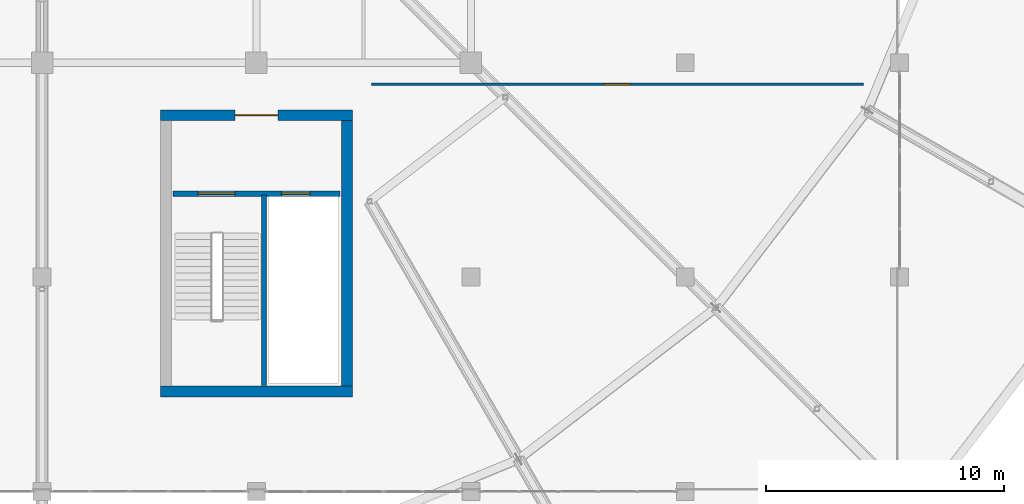
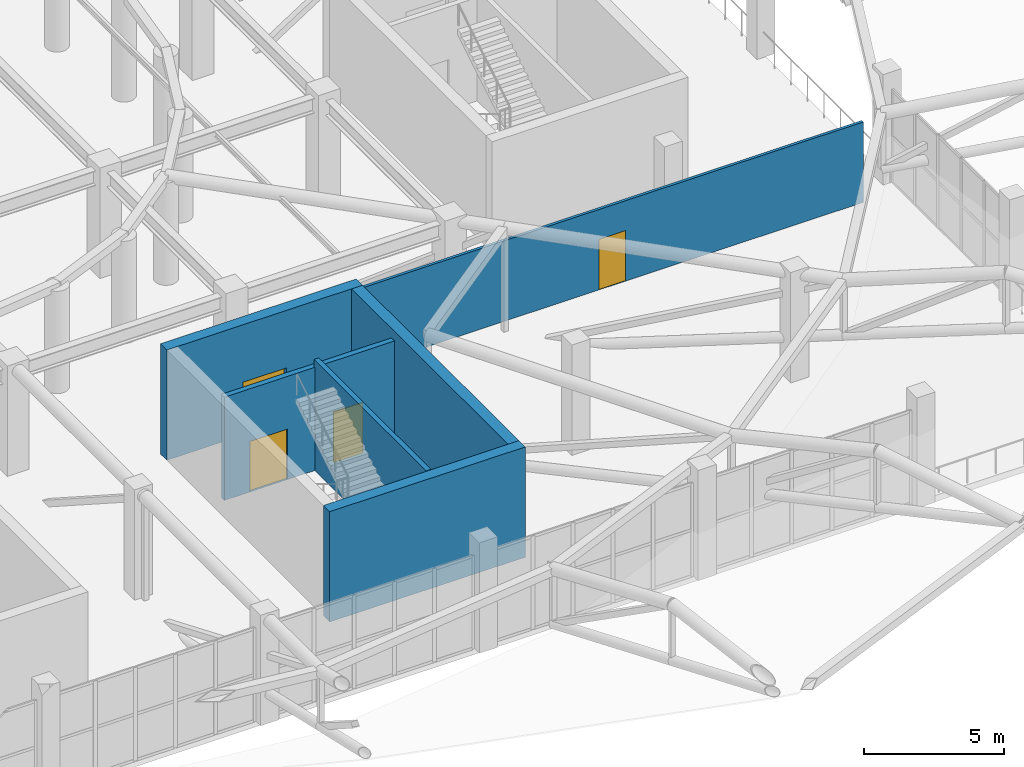
# One storey, part 139 of 167: 6 walls, 4 doors, 4 openings.
"""IFC4 building model written with IfcOpenShell, lengths in metres."""

from ifc_helpers import new_model, si_unit, direction, frame, frame_2d, origin, place, context, subcontext, project, spatial, rectangle, extrude, material, layer, layer_set, type_object, element, fill, save


model = new_model("IFC4")

# Units and contexts
model_context = context("Model", 3, precision=1e-05, world=origin(), true_north=direction((0.0, 1.0)))
body_context = subcontext(model_context, "Body", "Model", "MODEL_VIEW")
ifc_project = project(units=[si_unit("LENGTHUNIT", "METRE"), si_unit("AREAUNIT", "SQUARE_METRE"), si_unit("VOLUMEUNIT", "CUBIC_METRE"), si_unit("PLANEANGLEUNIT", "RADIAN"), si_unit("MASSUNIT", "GRAM", prefix="KILO")], contexts=[model_context])

# Site, building, storey
site_placement = place(None, origin())
site = spatial("IfcSite", under=ifc_project, at=site_placement, CompositionType="ELEMENT")
building_placement = place(site_placement, origin())
building = spatial("IfcBuilding", under=site, at=building_placement, Name="Dornveld Trade and Exhibition Forum", CompositionType="ELEMENT")
storey_placement = place(building_placement, frame((0.0, 0.0, 16.800048828125)))
storey = spatial("IfcBuildingStorey", under=building, at=storey_placement, Name="L03", CompositionType="ELEMENT", Elevation=16.800048828125)

# Wall
ifc_material_1 = material(Name="Concrete C40/50", Category="concrete")
ifc_layer_1 = layer(ifc_material_1, 0.449951171875)
ifc_layer_set_1 = layer_set([ifc_layer_1], Name="Concrete C40/50")
wall_type_1 = type_object("IfcWallType", Name="WL-CORE-450", PredefinedType="SHEAR", material=ifc_layer_set_1)
wall_1_placement = place(storey_placement, frame((121.97509765625, 49.199951171875, 0.0), z_axis=(0.0, 0.0, 1.0), x_axis=(1.0, 0.0, 0.0)))
element("IfcWall", 1, at=wall_1_placement, inside=storey, type_object=wall_type_1, Name="CORE-07 L03 shear wall S", PredefinedType="SHEAR", context=body_context, shape_type="SweptSolid", body=[
    extrude(rectangle(XDim=8.0498046875, YDim=0.449951171875, at=frame_2d((4.02490234375, 0.0))), origin(), (0.0, 0.0, 1.0), 4.800048828125),
])

# Wall, opening, door
wall_2_placement = place(storey_placement, frame((121.97509765625, 60.800048828125, 0.0), z_axis=(0.0, 0.0, 1.0), x_axis=(1.0, 0.0, 0.0)))
wall_2 = element("IfcWall", 2, at=wall_2_placement, inside=storey, type_object=wall_type_1, Name="CORE-07 L03 shear wall N", PredefinedType="SHEAR", context=body_context, shape_type="SweptSolid", body=[
    extrude(rectangle(XDim=8.0498046875, YDim=0.449951171875, at=frame_2d((4.02490234375, 0.0))), origin(), (0.0, 0.0, 1.0), 4.800048828125),
])
opening_1_placement = place(wall_2_placement, frame((3.125, 0.0, 0.0)))
opening_1 = element("IfcOpeningElement", 3, at=opening_1_placement, cuts=wall_2, Name="Opening CD-07-L03", PredefinedType="OPENING", context=body_context, shape_type="SweptSolid", body=[
    extrude(rectangle(XDim=1.800048828125, YDim=2.300048828125, at=frame_2d((0.89990234375, 1.14990234375))), frame((0.0, 0.23486328125, 0.0), z_axis=(0.0, -1.0, 0.0), x_axis=(1.0, 0.0, 0.0)), (0.0, 0.0, 1.0), 0.469970703125),
])
ifc_material_2 = material(Name="Steel fire-rated double door assembly", Category="steel")
door_type_1 = type_object("IfcDoorType", Name="DR-CORE-180x230", OperationType="NOTDEFINED", PredefinedType="DOOR", material=ifc_material_2)
door_1_placement = place(opening_1_placement, origin())
door_1 = element("IfcDoor", 4, at=door_1_placement, inside=storey, type_object=door_type_1, Name="CORE-07 L03 core lobby double fire door", OperationType="DOUBLE_DOOR_SINGLE_SWING", OverallHeight=2.300048828125, OverallWidth=1.800048828125, PredefinedType="DOOR", context=body_context, shape_type="SweptSolid", body=[
    extrude(rectangle(XDim=1.800048828125, YDim=2.300048828125, at=frame_2d((0.89990234375, 1.14990234375))), frame((0.0, 0.02490234375, 0.0), z_axis=(0.0, -1.0, 0.0), x_axis=(1.0, 0.0, 0.0)), (0.0, 0.0, 1.0), 0.050048828125),
])
fill(opening_1, door_1)

# Wall
wall_3_placement = place(storey_placement, frame((129.800048828125, 49.425048828125, 0.0), z_axis=(0.0, 0.0, 1.0), x_axis=(0.0, 1.0, 0.0)))
element("IfcWall", 5, at=wall_3_placement, inside=storey, type_object=wall_type_1, Name="CORE-07 L03 shear wall E", PredefinedType="SHEAR", context=body_context, shape_type="SweptSolid", body=[
    extrude(rectangle(XDim=11.14990234375, YDim=0.449951171875, at=frame_2d((5.574951171875, 0.0))), origin(), (0.0, 0.0, 1.0), 4.800048828125),
])

# Wall, openings, doors
ifc_material_3 = material(Name="Concrete C40/50", Category="concrete")
ifc_layer_2 = layer(ifc_material_3, 0.219970703125)
ifc_layer_set_2 = layer_set([ifc_layer_2], Name="Concrete C40/50")
wall_type_2 = type_object("IfcWallType", Name="WL-INT-LOB220", PredefinedType="SOLIDWALL", material=ifc_layer_set_2)
wall_4_placement = place(storey_placement, frame((122.5, 57.5, 0.0), z_axis=(0.0, 0.0, 1.0), x_axis=(1.0, 0.0, 0.0)))
wall_4 = element("IfcWall", 6, at=wall_4_placement, inside=storey, type_object=wall_type_2, Name="CORE-07 L03 protected lobby bulkhead wall", PredefinedType="SOLIDWALL", context=body_context, shape_type="SweptSolid", body=[
    extrude(rectangle(XDim=7.0, YDim=0.219970703125, at=frame_2d((3.5, 0.0))), origin(), (0.0, 0.0, 1.0), 4.489990234375),
])
opening_2_placement = place(wall_4_placement, frame((1.050048828125, 0.0, 0.0)))
opening_2 = element("IfcOpeningElement", 7, at=opening_2_placement, cuts=wall_4, Name="Opening SD-07-L03", PredefinedType="OPENING", context=body_context, shape_type="SweptSolid", body=[
    extrude(rectangle(XDim=1.550048828125, YDim=2.199951171875, at=frame_2d((0.77490234375, 1.10009765625))), frame((0.0, 0.119873046875, 0.0), z_axis=(0.0, -1.0, 0.0), x_axis=(1.0, 0.0, 0.0)), (0.0, 0.0, 1.0), 0.239990234375),
])
opening_3_placement = place(wall_4_placement, frame((4.550048828125, 0.0, 0.0)))
opening_3 = element("IfcOpeningElement", 8, at=opening_3_placement, cuts=wall_4, Name="Opening LD-07-L03", PredefinedType="OPENING", context=body_context, shape_type="SweptSolid", body=[
    extrude(rectangle(XDim=1.199951171875, YDim=2.199951171875, at=frame_2d((0.60009765625, 1.10009765625))), frame((0.0, 0.119873046875, 0.0), z_axis=(0.0, -1.0, 0.0), x_axis=(1.0, 0.0, 0.0)), (0.0, 0.0, 1.0), 0.239990234375),
])
ifc_material_4 = material(Name="Brushed stainless steel sliding lift landing door", Category="steel")
door_type_2 = type_object("IfcDoorType", Name="DR-LIFT-120x220", OperationType="NOTDEFINED", PredefinedType="DOOR", material=ifc_material_4)
door_2_placement = place(opening_3_placement, origin())
door_2 = element("IfcDoor", 9, at=door_2_placement, inside=storey, type_object=door_type_2, Name="CORE-07 L03 lift sliding landing door", OperationType="SLIDING_TO_LEFT", OverallHeight=2.199951171875, OverallWidth=1.199951171875, PredefinedType="DOOR", context=body_context, shape_type="SweptSolid", body=[
    extrude(rectangle(XDim=1.199951171875, YDim=2.199951171875, at=frame_2d((0.60009765625, 1.10009765625))), frame((0.0, 0.02490234375, 0.0), z_axis=(0.0, -1.0, 0.0), x_axis=(1.0, 0.0, 0.0)), (0.0, 0.0, 1.0), 0.050048828125),
])
fill(opening_3, door_2)
ifc_material_5 = material(Name="Steel fire-rated stair door assembly", Category="steel")
door_type_3 = type_object("IfcDoorType", Name="DR-STAIR-155x220", OperationType="NOTDEFINED", PredefinedType="DOOR", material=ifc_material_5)
door_3_placement = place(opening_2_placement, origin())
door_3 = element("IfcDoor", 10, at=door_3_placement, inside=storey, type_object=door_type_3, Name="CORE-07 L03 protected stair door", OperationType="SINGLE_SWING_LEFT", OverallHeight=2.199951171875, OverallWidth=1.550048828125, PredefinedType="DOOR", context=body_context, shape_type="SweptSolid", body=[
    extrude(rectangle(XDim=1.550048828125, YDim=2.199951171875, at=frame_2d((0.77490234375, 1.10009765625))), frame((0.0, 0.02490234375, 0.0), z_axis=(0.0, -1.0, 0.0), x_axis=(1.0, 0.0, 0.0)), (0.0, 0.0, 1.0), 0.050048828125),
])
fill(opening_2, door_3)

# Wall
ifc_material_6 = material(Name="Concrete C40/50", Category="concrete")
ifc_layer_3 = layer(ifc_material_6, 0.199951171875)
ifc_layer_set_3 = layer_set([ifc_layer_3], Name="Concrete C40/50")
wall_type_3 = type_object("IfcWallType", Name="WL-INT-SHAFT200", PredefinedType="SOLIDWALL", material=ifc_layer_set_3)
wall_5_placement = place(storey_placement, frame((126.320068359375, 49.449951171875, 0.0), z_axis=(0.0, 0.0, 1.0), x_axis=(0.0, 1.0, 0.0)))
element("IfcWall", 11, at=wall_5_placement, inside=storey, type_object=wall_type_3, Name="CORE-07 L03 lift-stair structural shaft wall", PredefinedType="SOLIDWALL", context=body_context, shape_type="SweptSolid", body=[
    extrude(rectangle(XDim=8.0, YDim=0.199951171875, at=frame_2d((4.0, 0.0))), origin(), (0.0, 0.0, 1.0), 4.800048828125),
])

# Wall, opening, door
ifc_material_7 = material(Name="Moisture-resistant wet-room partition", Category="gypsum")
ifc_layer_4 = layer(ifc_material_7, 0.114990234375)
ifc_layer_set_4 = layer_set([ifc_layer_4], Name="Moisture-resistant wet-room partition")
wall_type_4 = type_object("IfcWallType", Name="WL-INT-WC115", PredefinedType="PARTITIONING", material=ifc_layer_set_4)
wall_6_placement = place(storey_placement, frame((130.820068359375, 62.10009765625, 0.0), z_axis=(0.0, 0.0, 1.0), x_axis=(1.0, 0.0, 0.0)))
wall_6 = element("IfcWall", 12, at=wall_6_placement, inside=storey, type_object=wall_type_4, Name="L03 interior partition 95", PredefinedType="PARTITIONING", context=body_context, shape_type="SweptSolid", body=[
    extrude(rectangle(XDim=20.659912109375, YDim=0.114990234375, at=frame_2d((10.330078125, 0.0))), origin(), (0.0, 0.0, 1.0), 3.5),
])
opening_4_placement = place(wall_6_placement, frame((9.780029296875, 0.0, 0.0)))
opening_4 = element("IfcOpeningElement", 13, at=opening_4_placement, cuts=wall_6, Name="Opening OD-02-061", PredefinedType="OPENING", context=body_context, shape_type="SweptSolid", body=[
    extrude(rectangle(XDim=1.10009765625, YDim=2.199951171875, at=frame_2d((0.550048828125, 1.10009765625))), frame((0.0, 0.0673828125, 0.0), z_axis=(0.0, -1.0, 0.0), x_axis=(1.0, 0.0, 0.0)), (0.0, 0.0, 1.0), 0.135009765625),
])
ifc_material_8 = material(Name="Solid-core hardwood office door", Category="wood")
door_type_4 = type_object("IfcDoorType", Name="DR-OFF-110x220", OperationType="NOTDEFINED", PredefinedType="DOOR", material=ifc_material_8)
door_4_placement = place(opening_4_placement, origin())
door_4 = element("IfcDoor", 14, at=door_4_placement, inside=storey, type_object=door_type_4, Name="L03 interior room door 61", OperationType="SINGLE_SWING_LEFT", OverallHeight=2.199951171875, OverallWidth=1.10009765625, PredefinedType="DOOR", context=body_context, shape_type="SweptSolid", body=[
    extrude(rectangle(XDim=1.10009765625, YDim=2.199951171875, at=frame_2d((0.550048828125, 1.10009765625))), frame((0.0, 0.02490234375, 0.0), z_axis=(0.0, -1.0, 0.0), x_axis=(1.0, 0.0, 0.0)), (0.0, 0.0, 1.0), 0.050048828125),
])
fill(opening_4, door_4)

save(model, "model.ifc")
